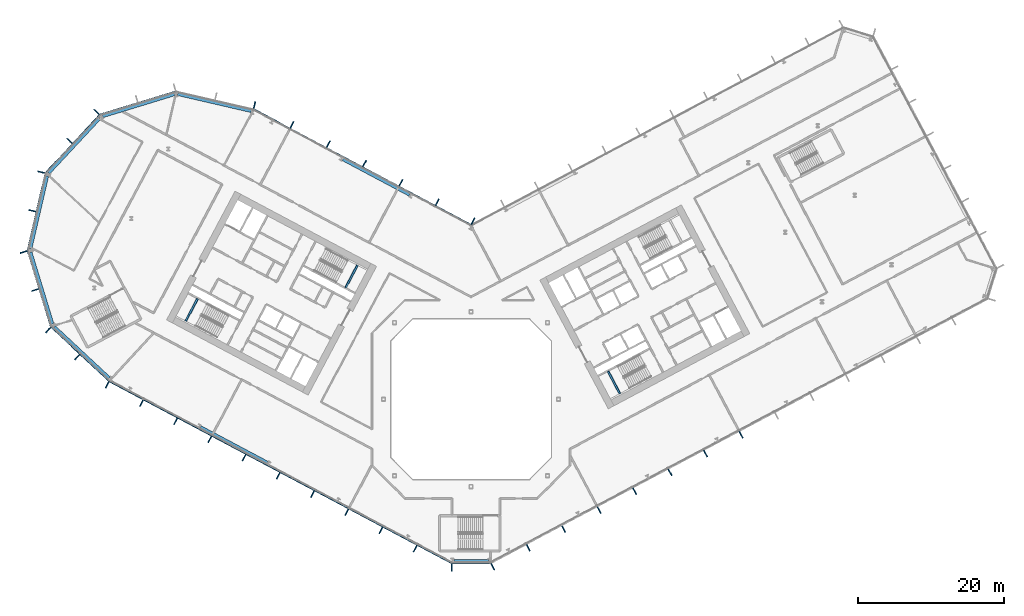
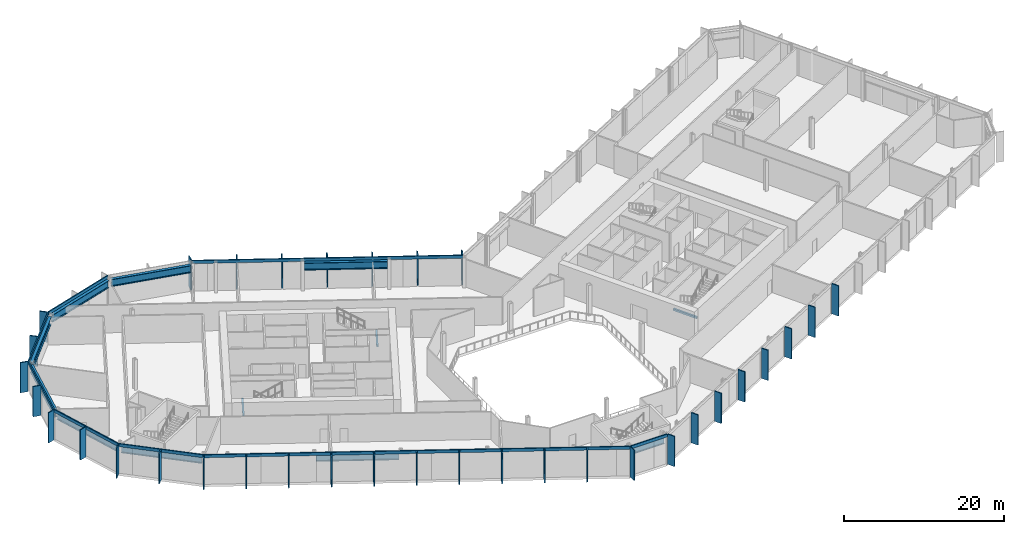
# One storey, part 7 of 32: 42 members, 12 beams, 10 elements without a shape of their own.
"""IFC4 building model written with IfcOpenShell, lengths in metres."""

from ifc_helpers import new_model, si_unit, direction, frame, origin, origin_2d, place, context, subcontext, project, spatial, rectangle, i_section, extrude, material, layer, layer_set, material_profile, profile_set, type_object, element, aggregate, save


model = new_model("IFC4")

# Units and contexts
model_context = context("Model", 3, precision=1e-05, world=origin(), true_north=direction((0.0, 1.0)))
body_context = subcontext(model_context, "Body", "Model", "MODEL_VIEW")
ifc_project = project(units=[si_unit("LENGTHUNIT", "METRE"), si_unit("AREAUNIT", "SQUARE_METRE"), si_unit("VOLUMEUNIT", "CUBIC_METRE"), si_unit("PLANEANGLEUNIT", "RADIAN"), si_unit("MASSUNIT", "GRAM", prefix="KILO")], contexts=[model_context])

# Site, building, storey
site_placement = place(None, origin())
site = spatial("IfcSite", under=ifc_project, at=site_placement, CompositionType="ELEMENT")
building_placement = place(site_placement, origin())
building = spatial("IfcBuilding", under=site, at=building_placement, Name="Cormorant Relay Tower", CompositionType="ELEMENT")
storey_placement = place(building_placement, frame((0.0, 0.0, 70.800048828125)))
storey = spatial("IfcBuildingStorey", under=building, at=storey_placement, Name="L13", CompositionType="ELEMENT", Elevation=70.800048828125)

# Curtain wall, member
ifc_material_1 = material(Name="Aluminium 6063-T6 anodised bronze", Category="aluminium")
ifc_layer = layer(ifc_material_1, 0.199951171875)
ifc_layer_set = layer_set([ifc_layer], Name="CW1 unitised bronze curtain wall with vertical fins")
curtain_wall_type = type_object("IfcCurtainWallType", Name="CW1 unitised bronze curtain wall with vertical fins", PredefinedType="NOTDEFINED", material=ifc_layer_set)
curtain_wall_1_placement = place(storey_placement, origin())
curtain_wall_1 = element("IfcCurtainWall", 1, at=curtain_wall_1_placement, inside=storey, type_object=curtain_wall_type, Name="CW1 curtain wall 1", PredefinedType="NOTDEFINED")
ifc_material_2 = material(Name="Aluminium 6063-T6 anodised bronze", Category="aluminium")
ifc_material_profile_1 = material_profile(ifc_material_2, rectangle(XDim=0.14990234375, YDim=1.0, at=origin_2d()), Name="AL 150x1000")
ifc_profile_set_1 = profile_set([ifc_material_profile_1], Name="Aluminium 6063-T6 anodised bronze")
member_type_1 = type_object("IfcMemberType", Name="CW1 bronze fin mullion 150 x 1000", PredefinedType="MULLION", material=ifc_profile_set_1)
member_1_placement = place(storey_placement, frame((-2.648681640625, -23.07568359375, 0.0), z_axis=(0.0, 0.0, 1.0), x_axis=(1.0, 0.0, 0.0)))
member_1 = element("IfcMember", 2, at=member_1_placement, type_object=member_type_1, Name="CW1 fin 1.1", PredefinedType="MULLION", context=body_context, shape_type="SweptSolid", body=[
    extrude(rectangle(XDim=0.14990234375, YDim=1.0, at=origin_2d()), origin(), (0.0, 0.0, 1.0), 4.599853515625),
])

# Curtain wall, members
curtain_wall_2_placement = place(storey_placement, origin())
curtain_wall_2 = element("IfcCurtainWall", 3, at=curtain_wall_2_placement, inside=storey, type_object=curtain_wall_type, Name="CW1 curtain wall 2", PredefinedType="NOTDEFINED")
member_2_placement = place(storey_placement, frame((2.9775390625, -22.99365234375, 0.0), z_axis=(0.0, 0.0, 1.0), x_axis=(0.882947592859, 0.469471562786, 0.0)))
member_2 = element("IfcMember", 4, at=member_2_placement, type_object=member_type_1, Name="CW1 fin 2.1", PredefinedType="MULLION", context=body_context, shape_type="SweptSolid", body=[
    extrude(rectangle(XDim=0.14990234375, YDim=1.0, at=origin_2d()), origin(), (0.0, 0.0, 1.0), 4.599853515625),
])
member_3_placement = place(storey_placement, frame((7.843994140625, -20.406005859375, 0.0), z_axis=(0.0, 0.0, 1.0), x_axis=(0.882947592859, 0.469471562786, 0.0)))
member_3 = element("IfcMember", 5, at=member_3_placement, type_object=member_type_1, Name="CW1 fin 2.2", PredefinedType="MULLION", context=body_context, shape_type="SweptSolid", body=[
    extrude(rectangle(XDim=0.14990234375, YDim=1.0, at=origin_2d()), origin(), (0.0, 0.0, 1.0), 4.599853515625),
])
member_4_placement = place(storey_placement, frame((12.710693359375, -17.818359375, 0.0), z_axis=(0.0, 0.0, 1.0), x_axis=(0.882947592859, 0.469471562786, 0.0)))
member_4 = element("IfcMember", 6, at=member_4_placement, type_object=member_type_1, Name="CW1 fin 2.3", PredefinedType="MULLION", context=body_context, shape_type="SweptSolid", body=[
    extrude(rectangle(XDim=0.14990234375, YDim=1.0, at=origin_2d()), origin(), (0.0, 0.0, 1.0), 4.599853515625),
])
member_5_placement = place(storey_placement, frame((17.577392578125, -15.230712890625, 0.0), z_axis=(0.0, 0.0, 1.0), x_axis=(0.882947592859, 0.469471562786, 0.0)))
member_5 = element("IfcMember", 7, at=member_5_placement, type_object=member_type_1, Name="CW1 fin 2.4", PredefinedType="MULLION", context=body_context, shape_type="SweptSolid", body=[
    extrude(rectangle(XDim=0.14990234375, YDim=1.0, at=origin_2d()), origin(), (0.0, 0.0, 1.0), 4.599853515625),
])
member_6_placement = place(storey_placement, frame((22.444091796875, -12.64306640625, 0.0), z_axis=(0.0, 0.0, 1.0), x_axis=(0.882947592859, 0.469471562786, 0.0)))
member_6 = element("IfcMember", 8, at=member_6_placement, type_object=member_type_1, Name="CW1 fin 2.5", PredefinedType="MULLION", context=body_context, shape_type="SweptSolid", body=[
    extrude(rectangle(XDim=0.14990234375, YDim=1.0, at=origin_2d()), origin(), (0.0, 0.0, 1.0), 4.599853515625),
])
member_7_placement = place(storey_placement, frame((27.310791015625, -10.055419921875, 0.0), z_axis=(0.0, 0.0, 1.0), x_axis=(0.882947592859, 0.469471562786, 0.0)))
member_7 = element("IfcMember", 9, at=member_7_placement, type_object=member_type_1, Name="CW1 fin 2.6", PredefinedType="MULLION", context=body_context, shape_type="SweptSolid", body=[
    extrude(rectangle(XDim=0.14990234375, YDim=1.0, at=origin_2d()), origin(), (0.0, 0.0, 1.0), 4.599853515625),
])
member_8_placement = place(storey_placement, frame((32.177490234375, -7.4677734375, 0.0), z_axis=(0.0, 0.0, 1.0), x_axis=(0.882947592859, 0.469471562786, 0.0)))
member_8 = element("IfcMember", 10, at=member_8_placement, type_object=member_type_1, Name="CW1 fin 2.7", PredefinedType="MULLION", context=body_context, shape_type="SweptSolid", body=[
    extrude(rectangle(XDim=0.14990234375, YDim=1.0, at=origin_2d()), origin(), (0.0, 0.0, 1.0), 4.599853515625),
])
member_9_placement = place(storey_placement, frame((37.044189453125, -4.8798828125, 0.0), z_axis=(0.0, 0.0, 1.0), x_axis=(0.882947592859, 0.469471562786, 0.0)))
member_9 = element("IfcMember", 11, at=member_9_placement, type_object=member_type_1, Name="CW1 fin 2.8", PredefinedType="MULLION", context=body_context, shape_type="SweptSolid", body=[
    extrude(rectangle(XDim=0.14990234375, YDim=1.0, at=origin_2d()), origin(), (0.0, 0.0, 1.0), 4.599853515625),
])
aggregate(curtain_wall_2, [member_2, member_3, member_4, member_5, member_6, member_7, member_8, member_9])

curtain_wall_3_placement = place(storey_placement, origin())
curtain_wall_3 = element("IfcCurtainWall", 12, at=curtain_wall_3_placement, inside=storey, type_object=curtain_wall_type, Name="CW1 curtain wall 7", PredefinedType="NOTDEFINED")
member_10_placement = place(storey_placement, frame((0.262451171875, 24.437255859375, 0.0), z_axis=(0.0, 0.0, 1.0), x_axis=(-0.882947592859, 0.469471562786, 0.0)))
member_10 = element("IfcMember", 13, at=member_10_placement, type_object=member_type_1, Name="CW1 fin 7.1", PredefinedType="MULLION", context=body_context, shape_type="SweptSolid", body=[
    extrude(rectangle(XDim=0.14990234375, YDim=1.0, at=origin_2d()), origin(), (0.0, 0.0, 1.0), 4.599853515625),
])
member_11_placement = place(storey_placement, frame((-4.650390625, 27.04931640625, 0.0), z_axis=(0.0, 0.0, 1.0), x_axis=(-0.882947592859, 0.469471562786, 0.0)))
member_11 = element("IfcMember", 14, at=member_11_placement, type_object=member_type_1, Name="CW1 fin 7.2", PredefinedType="MULLION", context=body_context, shape_type="SweptSolid", body=[
    extrude(rectangle(XDim=0.14990234375, YDim=1.0, at=origin_2d()), origin(), (0.0, 0.0, 1.0), 4.599853515625),
])
member_12_placement = place(storey_placement, frame((-9.62939453125, 29.69677734375, 0.0), z_axis=(0.0, 0.0, 1.0), x_axis=(-0.882947592859, 0.469471562786, 0.0)))
member_12 = element("IfcMember", 15, at=member_12_placement, type_object=member_type_1, Name="CW1 fin 7.3", PredefinedType="MULLION", context=body_context, shape_type="SweptSolid", body=[
    extrude(rectangle(XDim=0.14990234375, YDim=1.0, at=origin_2d()), origin(), (0.0, 0.0, 1.0), 4.599853515625),
])
member_13_placement = place(storey_placement, frame((-14.608154296875, 32.343994140625, 0.0), z_axis=(0.0, 0.0, 1.0), x_axis=(-0.882947592859, 0.469471562786, 0.0)))
member_13 = element("IfcMember", 16, at=member_13_placement, type_object=member_type_1, Name="CW1 fin 7.4", PredefinedType="MULLION", context=body_context, shape_type="SweptSolid", body=[
    extrude(rectangle(XDim=0.14990234375, YDim=1.0, at=origin_2d()), origin(), (0.0, 0.0, 1.0), 4.599853515625),
])
member_14_placement = place(storey_placement, frame((-19.587158203125, 34.991455078125, 0.0), z_axis=(0.0, 0.0, 1.0), x_axis=(-0.882947592859, 0.469471562786, 0.0)))
member_14 = element("IfcMember", 17, at=member_14_placement, type_object=member_type_1, Name="CW1 fin 7.5", PredefinedType="MULLION", context=body_context, shape_type="SweptSolid", body=[
    extrude(rectangle(XDim=0.14990234375, YDim=1.0, at=origin_2d()), origin(), (0.0, 0.0, 1.0), 4.599853515625),
])
member_15_placement = place(storey_placement, frame((-24.566162109375, 37.638916015625, 0.0), z_axis=(0.0, 0.0, 1.0), x_axis=(-0.882947592859, 0.469471562786, 0.0)))
member_15 = element("IfcMember", 18, at=member_15_placement, type_object=member_type_1, Name="CW1 fin 7.6", PredefinedType="MULLION", context=body_context, shape_type="SweptSolid", body=[
    extrude(rectangle(XDim=0.14990234375, YDim=1.0, at=origin_2d()), origin(), (0.0, 0.0, 1.0), 4.599853515625),
])

# Curtain wall, member
curtain_wall_4_placement = place(storey_placement, origin())
curtain_wall_4 = element("IfcCurtainWall", 19, at=curtain_wall_4_placement, inside=storey, type_object=curtain_wall_type, Name="CW1 curtain wall 8", PredefinedType="NOTDEFINED")
member_16_placement = place(storey_placement, frame((-29.71630859375, 40.35009765625, 0.0), z_axis=(0.0, 0.0, 1.0), x_axis=(-0.974370064785, 0.224951054344, 0.0)))
member_16 = element("IfcMember", 20, at=member_16_placement, type_object=member_type_1, Name="CW1 fin 8.1", PredefinedType="MULLION", context=body_context, shape_type="SweptSolid", body=[
    extrude(rectangle(XDim=0.14990234375, YDim=1.0, at=origin_2d()), origin(), (0.0, 0.0, 1.0), 4.599853515625),
])
aggregate(curtain_wall_4, [member_16])

# Curtain wall, members
curtain_wall_5_placement = place(storey_placement, origin())
curtain_wall_5 = element("IfcCurtainWall", 21, at=curtain_wall_5_placement, inside=storey, type_object=curtain_wall_type, Name="CW1 curtain wall 10", PredefinedType="NOTDEFINED")
member_17_placement = place(storey_placement, frame((-51.372802734375, 39.41259765625, 0.0), z_axis=(0.0, 0.0, 1.0), x_axis=(-0.681998360062, -0.731353701619, 0.0)))
member_17 = element("IfcMember", 22, at=member_17_placement, type_object=member_type_1, Name="CW1 fin 10.1", PredefinedType="MULLION", context=body_context, shape_type="SweptSolid", body=[
    extrude(rectangle(XDim=0.14990234375, YDim=1.0, at=origin_2d()), origin(), (0.0, 0.0, 1.0), 4.599853515625),
])
member_18_placement = place(storey_placement, frame((-55.07958984375, 35.4375, 0.0), z_axis=(0.0, 0.0, 1.0), x_axis=(-0.681998360062, -0.731353701619, 0.0)))
member_18 = element("IfcMember", 23, at=member_18_placement, type_object=member_type_1, Name="CW1 fin 10.2", PredefinedType="MULLION", context=body_context, shape_type="SweptSolid", body=[
    extrude(rectangle(XDim=0.14990234375, YDim=1.0, at=origin_2d()), origin(), (0.0, 0.0, 1.0), 4.599853515625),
])

curtain_wall_6_placement = place(storey_placement, origin())
curtain_wall_6 = element("IfcCurtainWall", 24, at=curtain_wall_6_placement, inside=storey, type_object=curtain_wall_type, Name="CW1 curtain wall 11", PredefinedType="NOTDEFINED")
member_19_placement = place(storey_placement, frame((-58.95654296875, 31.142578125, 0.0), z_axis=(0.0, 0.0, 1.0), x_axis=(-0.224951054344, -0.974370064785, 0.0)))
member_19 = element("IfcMember", 25, at=member_19_placement, type_object=member_type_1, Name="CW1 fin 11.1", PredefinedType="MULLION", context=body_context, shape_type="SweptSolid", body=[
    extrude(rectangle(XDim=0.14990234375, YDim=1.0, at=origin_2d()), origin(), (0.0, 0.0, 1.0), 4.599853515625),
])
member_20_placement = place(storey_placement, frame((-60.17919921875, 25.8466796875, 0.0), z_axis=(0.0, 0.0, 1.0), x_axis=(-0.224951054344, -0.974370064785, 0.0)))
member_20 = element("IfcMember", 26, at=member_20_placement, type_object=member_type_1, Name="CW1 fin 11.2", PredefinedType="MULLION", context=body_context, shape_type="SweptSolid", body=[
    extrude(rectangle(XDim=0.14990234375, YDim=1.0, at=origin_2d()), origin(), (0.0, 0.0, 1.0), 4.599853515625),
])

curtain_wall_7_placement = place(storey_placement, origin())
curtain_wall_7 = element("IfcCurtainWall", 27, at=curtain_wall_7_placement, inside=storey, type_object=curtain_wall_type, Name="CW1 curtain wall 12", PredefinedType="NOTDEFINED")
member_21_placement = place(storey_placement, frame((-61.389404296875, 20.188720703125, 0.0), z_axis=(0.0, 0.0, 1.0), x_axis=(0.292371704723, -0.956304755963, 0.0)))
member_21 = element("IfcMember", 28, at=member_21_placement, type_object=member_type_1, Name="CW1 fin 12.1", PredefinedType="MULLION", context=body_context, shape_type="SweptSolid", body=[
    extrude(rectangle(XDim=0.14990234375, YDim=1.0, at=origin_2d()), origin(), (0.0, 0.0, 1.0), 4.599853515625),
])
member_22_placement = place(storey_placement, frame((-59.80029296875, 14.990966796875, 0.0), z_axis=(0.0, 0.0, 1.0), x_axis=(0.292371704723, -0.956304755963, 0.0)))
member_22 = element("IfcMember", 29, at=member_22_placement, type_object=member_type_1, Name="CW1 fin 12.2", PredefinedType="MULLION", context=body_context, shape_type="SweptSolid", body=[
    extrude(rectangle(XDim=0.14990234375, YDim=1.0, at=origin_2d()), origin(), (0.0, 0.0, 1.0), 4.599853515625),
])

curtain_wall_8_placement = place(storey_placement, origin())
curtain_wall_8 = element("IfcCurtainWall", 30, at=curtain_wall_8_placement, inside=storey, type_object=curtain_wall_type, Name="CW1 curtain wall 13", PredefinedType="NOTDEFINED")
member_23_placement = place(storey_placement, frame((-58.01904296875, 9.486083984375, 0.0), z_axis=(0.0, 0.0, 1.0), x_axis=(0.731353701619, -0.681998360062, 0.0)))
member_23 = element("IfcMember", 31, at=member_23_placement, type_object=member_type_1, Name="CW1 fin 13.1", PredefinedType="MULLION", context=body_context, shape_type="SweptSolid", body=[
    extrude(rectangle(XDim=0.14990234375, YDim=1.0, at=origin_2d()), origin(), (0.0, 0.0, 1.0), 4.599853515625),
])
member_24_placement = place(storey_placement, frame((-54.0439453125, 5.779296875, 0.0), z_axis=(0.0, 0.0, 1.0), x_axis=(0.731353701619, -0.681998360062, 0.0)))
member_24 = element("IfcMember", 32, at=member_24_placement, type_object=member_type_1, Name="CW1 fin 13.2", PredefinedType="MULLION", context=body_context, shape_type="SweptSolid", body=[
    extrude(rectangle(XDim=0.14990234375, YDim=1.0, at=origin_2d()), origin(), (0.0, 0.0, 1.0), 4.599853515625),
])

curtain_wall_9_placement = place(storey_placement, origin())
curtain_wall_9 = element("IfcCurtainWall", 33, at=curtain_wall_9_placement, inside=storey, type_object=curtain_wall_type, Name="CW1 curtain wall 14", PredefinedType="NOTDEFINED")
member_25_placement = place(storey_placement, frame((-49.920166015625, 1.96630859375, 0.0), z_axis=(0.0, 0.0, 1.0), x_axis=(0.882947592859, -0.469471562786, 0.0)))
member_25 = element("IfcMember", 34, at=member_25_placement, type_object=member_type_1, Name="CW1 fin 14.1", PredefinedType="MULLION", context=body_context, shape_type="SweptSolid", body=[
    extrude(rectangle(XDim=0.14990234375, YDim=1.0, at=origin_2d()), origin(), (0.0, 0.0, 1.0), 4.599853515625),
])
member_26_placement = place(storey_placement, frame((-45.225830078125, -0.52978515625, 0.0), z_axis=(0.0, 0.0, 1.0), x_axis=(0.882947592859, -0.469471562786, 0.0)))
member_26 = element("IfcMember", 35, at=member_26_placement, type_object=member_type_1, Name="CW1 fin 14.2", PredefinedType="MULLION", context=body_context, shape_type="SweptSolid", body=[
    extrude(rectangle(XDim=0.14990234375, YDim=1.0, at=origin_2d()), origin(), (0.0, 0.0, 1.0), 4.599853515625),
])
member_27_placement = place(storey_placement, frame((-40.531494140625, -3.025634765625, 0.0), z_axis=(0.0, 0.0, 1.0), x_axis=(0.882947592859, -0.469471562786, 0.0)))
member_27 = element("IfcMember", 36, at=member_27_placement, type_object=member_type_1, Name="CW1 fin 14.3", PredefinedType="MULLION", context=body_context, shape_type="SweptSolid", body=[
    extrude(rectangle(XDim=0.14990234375, YDim=1.0, at=origin_2d()), origin(), (0.0, 0.0, 1.0), 4.599853515625),
])
member_28_placement = place(storey_placement, frame((-35.83740234375, -5.521728515625, 0.0), z_axis=(0.0, 0.0, 1.0), x_axis=(0.882947592859, -0.469471562786, 0.0)))
member_28 = element("IfcMember", 37, at=member_28_placement, type_object=member_type_1, Name="CW1 fin 14.4", PredefinedType="MULLION", context=body_context, shape_type="SweptSolid", body=[
    extrude(rectangle(XDim=0.14990234375, YDim=1.0, at=origin_2d()), origin(), (0.0, 0.0, 1.0), 4.599853515625),
])
member_29_placement = place(storey_placement, frame((-31.14306640625, -8.017578125, 0.0), z_axis=(0.0, 0.0, 1.0), x_axis=(0.882947592859, -0.469471562786, 0.0)))
member_29 = element("IfcMember", 38, at=member_29_placement, type_object=member_type_1, Name="CW1 fin 14.5", PredefinedType="MULLION", context=body_context, shape_type="SweptSolid", body=[
    extrude(rectangle(XDim=0.14990234375, YDim=1.0, at=origin_2d()), origin(), (0.0, 0.0, 1.0), 4.599853515625),
])
member_30_placement = place(storey_placement, frame((-26.44873046875, -10.513671875, 0.0), z_axis=(0.0, 0.0, 1.0), x_axis=(0.882947592859, -0.469471562786, 0.0)))
member_30 = element("IfcMember", 39, at=member_30_placement, type_object=member_type_1, Name="CW1 fin 14.6", PredefinedType="MULLION", context=body_context, shape_type="SweptSolid", body=[
    extrude(rectangle(XDim=0.14990234375, YDim=1.0, at=origin_2d()), origin(), (0.0, 0.0, 1.0), 4.599853515625),
])
member_31_placement = place(storey_placement, frame((-21.754638671875, -13.009765625, 0.0), z_axis=(0.0, 0.0, 1.0), x_axis=(0.882947592859, -0.469471562786, 0.0)))
member_31 = element("IfcMember", 40, at=member_31_placement, type_object=member_type_1, Name="CW1 fin 14.7", PredefinedType="MULLION", context=body_context, shape_type="SweptSolid", body=[
    extrude(rectangle(XDim=0.14990234375, YDim=1.0, at=origin_2d()), origin(), (0.0, 0.0, 1.0), 4.599853515625),
])
member_32_placement = place(storey_placement, frame((-17.060302734375, -15.505615234375, 0.0), z_axis=(0.0, 0.0, 1.0), x_axis=(0.882947592859, -0.469471562786, 0.0)))
member_32 = element("IfcMember", 41, at=member_32_placement, type_object=member_type_1, Name="CW1 fin 14.8", PredefinedType="MULLION", context=body_context, shape_type="SweptSolid", body=[
    extrude(rectangle(XDim=0.14990234375, YDim=1.0, at=origin_2d()), origin(), (0.0, 0.0, 1.0), 4.599853515625),
])
member_33_placement = place(storey_placement, frame((-12.365966796875, -18.001708984375, 0.0), z_axis=(0.0, 0.0, 1.0), x_axis=(0.882947592859, -0.469471562786, 0.0)))
member_33 = element("IfcMember", 42, at=member_33_placement, type_object=member_type_1, Name="CW1 fin 14.9", PredefinedType="MULLION", context=body_context, shape_type="SweptSolid", body=[
    extrude(rectangle(XDim=0.14990234375, YDim=1.0, at=origin_2d()), origin(), (0.0, 0.0, 1.0), 4.599853515625),
])
member_34_placement = place(storey_placement, frame((-7.671630859375, -20.49755859375, 0.0), z_axis=(0.0, 0.0, 1.0), x_axis=(0.882947592859, -0.469471562786, 0.0)))
member_34 = element("IfcMember", 43, at=member_34_placement, type_object=member_type_1, Name="CW1 fin 14.10", PredefinedType="MULLION", context=body_context, shape_type="SweptSolid", body=[
    extrude(rectangle(XDim=0.14990234375, YDim=1.0, at=origin_2d()), origin(), (0.0, 0.0, 1.0), 4.599853515625),
])

# Member
ifc_material_3 = material(Name="Aluminium 6063-T6 anodised bronze", Category="aluminium")
ifc_material_profile_2 = material_profile(ifc_material_3, rectangle(XDim=0.159912109375, YDim=0.449951171875, at=origin_2d()), Name="AL 160x450")
ifc_profile_set_2 = profile_set([ifc_material_profile_2], Name="Aluminium 6063-T6 anodised bronze")
member_type_2 = type_object("IfcMemberType", Name="CW1 bronze transom 160 x 450", PredefinedType="USERDEFINED", material=ifc_profile_set_2)
member_35_placement = place(storey_placement, frame((-2.648681640625, -22.49560546875, 4.375), z_axis=(1.0, 0.0, 0.0), x_axis=(0.0, 1.0, 0.0)))
member_35 = element("IfcMember", 44, at=member_35_placement, type_object=member_type_2, Name="CW1 transom 1", ObjectType="TRANSOM", PredefinedType="USERDEFINED", context=body_context, shape_type="SweptSolid", body=[
    extrude(rectangle(XDim=0.159912109375, YDim=0.449951171875, at=origin_2d()), origin(), (0.0, 0.0, 1.0), 5.29736328125),
])

aggregate(curtain_wall_1, [member_1, member_35])

member_36_placement = place(storey_placement, frame((0.056396484375, 23.889892578125, 4.375), z_axis=(-0.882946280328, 0.46947403129, 0.0), x_axis=(-0.46947403129, -0.882946280328, 0.0)))
member_36 = element("IfcMember", 45, at=member_36_placement, type_object=member_type_2, Name="CW1 transom 7", ObjectType="TRANSOM", PredefinedType="USERDEFINED", context=body_context, shape_type="SweptSolid", body=[
    extrude(rectangle(XDim=0.159912109375, YDim=0.449951171875, at=origin_2d()), origin(), (0.0, 0.0, 1.0), 33.834228515625),
])

aggregate(curtain_wall_3, [member_10, member_11, member_12, member_13, member_14, member_15, member_36])

# Curtain wall, member
curtain_wall_10_placement = place(storey_placement, origin())
curtain_wall_10 = element("IfcCurtainWall", 46, at=curtain_wall_10_placement, inside=storey, type_object=curtain_wall_type, Name="CW1 curtain wall 9", PredefinedType="NOTDEFINED")
member_37_placement = place(storey_placement, frame((-40.50048828125, 42.228271484375, 4.375), z_axis=(-0.956304833932, -0.292371449698, 0.0), x_axis=(0.292371449698, -0.956304833932, 0.0)))
member_37 = element("IfcMember", 47, at=member_37_placement, type_object=member_type_2, Name="CW1 transom 9", ObjectType="TRANSOM", PredefinedType="USERDEFINED", context=body_context, shape_type="SweptSolid", body=[
    extrude(rectangle(XDim=0.159912109375, YDim=0.449951171875, at=origin_2d()), origin(), (0.0, 0.0, 1.0), 10.87060546875),
])
aggregate(curtain_wall_10, [member_37])

# Member
member_38_placement = place(storey_placement, frame((-50.94873046875, 39.01708984375, 4.375), z_axis=(-0.681993299437, -0.731358420696, 0.0), x_axis=(0.731358420696, -0.681993299437, 0.0)))
member_38 = element("IfcMember", 48, at=member_38_placement, type_object=member_type_2, Name="CW1 transom 10", ObjectType="TRANSOM", PredefinedType="USERDEFINED", context=body_context, shape_type="SweptSolid", body=[
    extrude(rectangle(XDim=0.159912109375, YDim=0.449951171875, at=origin_2d()), origin(), (0.0, 0.0, 1.0), 10.870361328125),
])

aggregate(curtain_wall_5, [member_17, member_18, member_38])

member_39_placement = place(storey_placement, frame((-58.3916015625, 31.01220703125, 4.375), z_axis=(-0.22495136131, -0.974369993916, 0.0), x_axis=(0.974369993916, -0.22495136131, 0.0)))
member_39 = element("IfcMember", 49, at=member_39_placement, type_object=member_type_2, Name="CW1 transom 11", ObjectType="TRANSOM", PredefinedType="USERDEFINED", context=body_context, shape_type="SweptSolid", body=[
    extrude(rectangle(XDim=0.159912109375, YDim=0.449951171875, at=origin_2d()), origin(), (0.0, 0.0, 1.0), 10.870361328125),
])

aggregate(curtain_wall_6, [member_19, member_20, member_39])

member_40_placement = place(storey_placement, frame((-60.834716796875, 20.358154296875, 4.375), z_axis=(0.292377729282, -0.95630291405, 0.0), x_axis=(0.95630291405, 0.292377729282, 0.0)))
member_40 = element("IfcMember", 50, at=member_40_placement, type_object=member_type_2, Name="CW1 transom 12", ObjectType="TRANSOM", PredefinedType="USERDEFINED", context=body_context, shape_type="SweptSolid", body=[
    extrude(rectangle(XDim=0.159912109375, YDim=0.449951171875, at=origin_2d()), origin(), (0.0, 0.0, 1.0), 10.870361328125),
])

aggregate(curtain_wall_7, [member_21, member_22, member_40])

member_41_placement = place(storey_placement, frame((-57.62353515625, 9.91015625, 4.375), z_axis=(0.731358420696, -0.681993299437, 0.0), x_axis=(0.681993299437, 0.731358420696, 0.0)))
member_41 = element("IfcMember", 51, at=member_41_placement, type_object=member_type_2, Name="CW1 transom 13", ObjectType="TRANSOM", PredefinedType="USERDEFINED", context=body_context, shape_type="SweptSolid", body=[
    extrude(rectangle(XDim=0.159912109375, YDim=0.449951171875, at=origin_2d()), origin(), (0.0, 0.0, 1.0), 10.870361328125),
])

aggregate(curtain_wall_8, [member_23, member_24, member_41])

member_42_placement = place(storey_placement, frame((-49.64794921875, 2.478515625, 4.375), z_axis=(0.882947642542, -0.469471469346, 0.0), x_axis=(0.469471469346, 0.882947642542, 0.0)))
member_42 = element("IfcMember", 52, at=member_42_placement, type_object=member_type_2, Name="CW1 transom 14", ObjectType="TRANSOM", PredefinedType="USERDEFINED", context=body_context, shape_type="SweptSolid", body=[
    extrude(rectangle(XDim=0.159912109375, YDim=0.449951171875, at=origin_2d()), origin(), (0.0, 0.0, 1.0), 53.166015625),
])

aggregate(curtain_wall_9, [member_25, member_26, member_27, member_28, member_29, member_30, member_31, member_32, member_33, member_34, member_42])

# Beams
ifc_material_4 = material(Name="Steel ASTM A992 (Fy 345 MPa)", Category="steel")
ifc_material_profile_3 = material_profile(ifc_material_4, i_section(OverallWidth=0.40380859375, OverallDepth=1.11767578125, WebThickness=0.026123046875, FlangeThickness=0.044921875, FilletRadius=0.02001953125, at=origin_2d()), Name="W1100x499")
ifc_profile_set_3 = profile_set([ifc_material_profile_3], Name="Steel ASTM A992 (Fy 345 MPa)")
beam_type_1 = type_object("IfcBeamType", Name="Spandrel W1100x499", PredefinedType="SPANDREL", material=ifc_profile_set_3)
beam_1_placement = place(storey_placement, frame((-2.3486328125, -22.173583984375, 3.64111328125), z_axis=(1.0, 0.0, 0.0), x_axis=(0.0, 1.0, 0.0)))
element("IfcBeam", 53, at=beam_1_placement, inside=storey, type_object=beam_type_1, Name="Spandrel beam L13-001", PredefinedType="SPANDREL", context=body_context, shape_type="SweptSolid", body=[
    extrude(i_section(OverallWidth=0.40380859375, OverallDepth=1.11767578125, WebThickness=0.026123046875, FlangeThickness=0.044921875, FilletRadius=0.02001953125, at=origin_2d()), origin(), (0.0, 0.0, 1.0), 4.736083984375),
])
beam_2_placement = place(storey_placement, frame((-8.435302734375, 28.040283203125, 3.64111328125), z_axis=(-0.882946891921, 0.469472881056, 0.0), x_axis=(-0.469472881056, -0.882946891921, 0.0)))
element("IfcBeam", 54, at=beam_2_placement, inside=storey, type_object=beam_type_1, Name="Spandrel beam L13-007", PredefinedType="SPANDREL", context=body_context, shape_type="SweptSolid", body=[
    extrude(i_section(OverallWidth=0.40380859375, OverallDepth=1.11767578125, WebThickness=0.026123046875, FlangeThickness=0.044921875, FilletRadius=0.02001953125, at=origin_2d()), origin(), (0.0, 0.0, 1.0), 10.376220703125),
])
beam_3_placement = place(storey_placement, frame((-30.171142578125, 39.529541015625, 3.64111328125), z_axis=(-0.974368523335, 0.224957730996, 0.0), x_axis=(-0.224957730996, -0.974368523335, 0.0)))
element("IfcBeam", 55, at=beam_3_placement, inside=storey, type_object=beam_type_1, Name="Spandrel beam L13-008", PredefinedType="SPANDREL", context=body_context, shape_type="SweptSolid", body=[
    extrude(i_section(OverallWidth=0.40380859375, OverallDepth=1.11767578125, WebThickness=0.026123046875, FlangeThickness=0.044921875, FilletRadius=0.02001953125, at=origin_2d()), origin(), (0.0, 0.0, 1.0), 10.346923828125),
])
beam_4_placement = place(storey_placement, frame((-40.70166015625, 41.830078125, 3.64111328125), z_axis=(-0.956304442866, -0.292372728814, 0.0), x_axis=(0.292372728814, -0.956304442866, 0.0)))
element("IfcBeam", 56, at=beam_4_placement, inside=storey, type_object=beam_type_1, Name="Spandrel beam L13-009", PredefinedType="SPANDREL", context=body_context, shape_type="SweptSolid", body=[
    extrude(i_section(OverallWidth=0.40380859375, OverallDepth=1.11767578125, WebThickness=0.026123046875, FlangeThickness=0.044921875, FilletRadius=0.02001953125, at=origin_2d()), origin(), (0.0, 0.0, 1.0), 10.297607421875),
])
for number, where, z_axis, x_axis, name in (
    (57, (-50.924072265625, 38.571533203125, 3.64111328125), (-0.681993790146, -0.731357963108, 0.0), (0.731357963108, -0.681993790146, 0.0), "Spandrel beam L13-010"),
    (58, (-58.147216796875, 30.638671875, 3.64111328125), (-0.224939161738, -0.974372810333, 0.0), (0.974372810333, -0.224939161738, 0.0), "Spandrel beam L13-011"),
):
    element("IfcBeam", number, at=place(storey_placement, frame(where, z_axis=z_axis, x_axis=x_axis)), inside=storey, type_object=beam_type_1, Name=name, PredefinedType="SPANDREL", context=body_context, shape_type="SweptSolid", body=[
        extrude(i_section(OverallWidth=0.40380859375, OverallDepth=1.11767578125, WebThickness=0.026123046875, FlangeThickness=0.044921875, FilletRadius=0.02001953125, at=origin_2d()), origin(), (0.0, 0.0, 1.0), 10.296875),
    ])
beam_5_placement = place(storey_placement, frame((-60.4365234375, 20.1572265625, 3.64111328125), z_axis=(0.292372728814, -0.956304442866, 0.0), x_axis=(0.956304442866, 0.292372728814, 0.0)))
element("IfcBeam", 59, at=beam_5_placement, inside=storey, type_object=beam_type_1, Name="Spandrel beam L13-012", PredefinedType="SPANDREL", context=body_context, shape_type="SweptSolid", body=[
    extrude(i_section(OverallWidth=0.40380859375, OverallDepth=1.11767578125, WebThickness=0.026123046875, FlangeThickness=0.044921875, FilletRadius=0.02001953125, at=origin_2d()), origin(), (0.0, 0.0, 1.0), 10.297607421875),
])
beam_6_placement = place(storey_placement, frame((-57.177734375, 9.934814453125, 3.64111328125), z_axis=(0.731345431457, -0.682007228617, 0.0), x_axis=(0.682007228617, 0.731345431457, 0.0)))
element("IfcBeam", 60, at=beam_6_placement, inside=storey, type_object=beam_type_1, Name="Spandrel beam L13-013", PredefinedType="SPANDREL", context=body_context, shape_type="SweptSolid", body=[
    extrude(i_section(OverallWidth=0.40380859375, OverallDepth=1.11767578125, WebThickness=0.026123046875, FlangeThickness=0.044921875, FilletRadius=0.02001953125, at=origin_2d()), origin(), (0.0, 0.0, 1.0), 10.322265625),
])
beam_7_placement = place(storey_placement, frame((-37.124755859375, -3.815673828125, 3.64111328125), z_axis=(0.882946891921, -0.469472881056, 0.0), x_axis=(0.469472881056, 0.882946891921, 0.0)))
element("IfcBeam", 61, at=beam_7_placement, inside=storey, type_object=beam_type_1, Name="Spandrel beam L13-014", PredefinedType="SPANDREL", context=body_context, shape_type="SweptSolid", body=[
    extrude(i_section(OverallWidth=0.40380859375, OverallDepth=1.11767578125, WebThickness=0.026123046875, FlangeThickness=0.044921875, FilletRadius=0.02001953125, at=origin_2d()), origin(), (0.0, 0.0, 1.0), 10.376220703125),
])
ifc_material_5 = material(Name="Concrete 50 MPa", Category="concrete")
ifc_material_profile_4 = material_profile(ifc_material_5, rectangle(XDim=0.25, YDim=0.300048828125, at=origin_2d()), Name="RC 250x300")
ifc_profile_set_4 = profile_set([ifc_material_profile_4], Name="Concrete 50 MPa")
beam_type_2 = type_object("IfcBeamType", Name="Stair landing ledge beam 250x300", PredefinedType="BEAM", material=ifc_profile_set_4)
beam_8_placement = place(storey_placement, frame((-17.215087890625, 15.325927734375, 1.949951171875), z_axis=(0.469519084434, 0.88292232351, 0.0), x_axis=(-0.88292232351, 0.469519084434, 0.0)))
element("IfcBeam", 62, at=beam_8_placement, inside=storey, type_object=beam_type_2, Name="A1 landing ledge beam", PredefinedType="BEAM", context=body_context, shape_type="SweptSolid", body=[
    extrude(rectangle(XDim=0.25, YDim=0.300048828125, at=origin_2d()), origin(), (0.0, 0.0, 1.0), 3.449951171875),
])
for number, where, z_axis, x_axis, name in (
    (63, (-37.52783203125, 13.781494140625, 1.949951171875), (-0.469434585424, -0.882967253078, 0.0), (0.882967253078, -0.469434585424, 0.0), "A2 landing ledge beam"),
    (64, (18.80029296875, 3.823974609375, 1.949951171875), (0.469489750874, -0.88293792184, 0.0), (0.88293792184, 0.469489750874, 0.0), "B1 landing ledge beam"),
):
    element("IfcBeam", number, at=place(storey_placement, frame(where, z_axis=z_axis, x_axis=x_axis)), inside=storey, type_object=beam_type_2, Name=name, PredefinedType="BEAM", context=body_context, shape_type="SweptSolid", body=[
        extrude(rectangle(XDim=0.25, YDim=0.300048828125, at=origin_2d()), origin(), (0.0, 0.0, 1.0), 3.4501953125),
    ])

save(model, "model.ifc")
